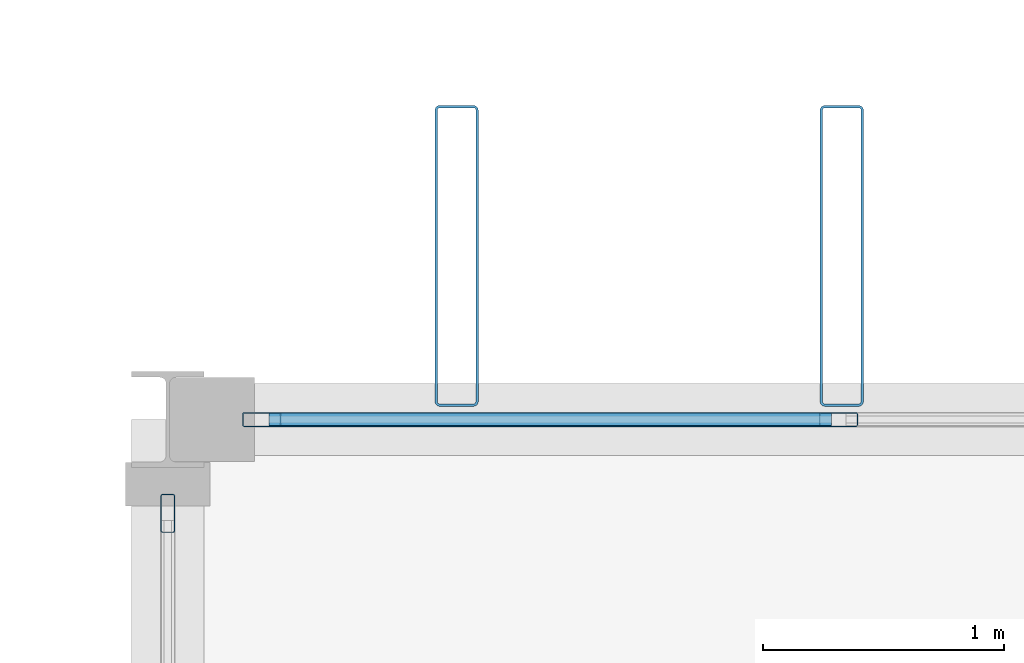
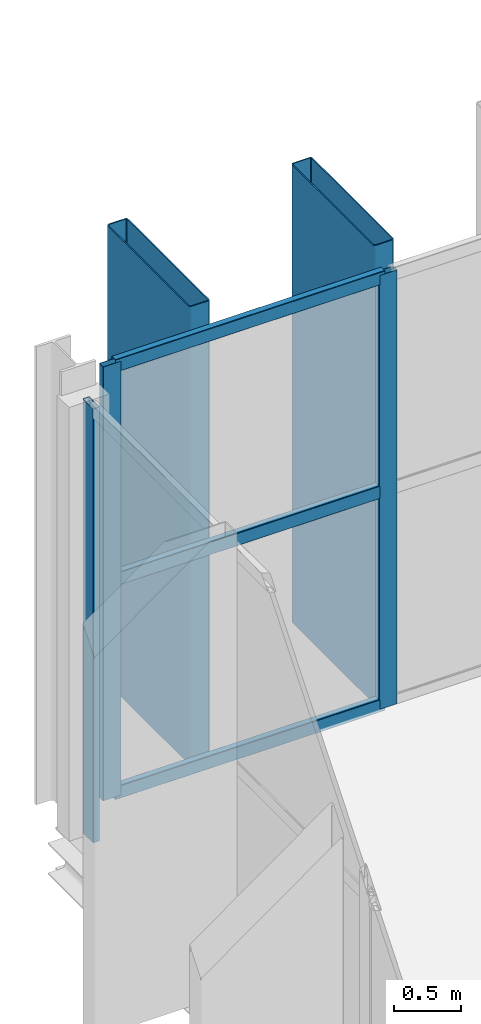
# One storey, part 24 of 101: 8 members, 2 elements without a shape of their own.
"""IFC4 building model written with IfcOpenShell, lengths in metres."""

import ifcopenshell
import ifcopenshell.guid

model = None  # the IFC model being written
_history = None  # IfcOwnerHistory: only IFC2X3 demands one
_inside = {}  # id of a spatial element -> (the spatial element, [elements in it])
_under = {}  # id of a project, library or spatial element -> (it, [spatial elements below it])
_declared = {}  # id of a project -> (the project, [libraries it declares])
_typed = {}  # id of a type object -> (the type object, [elements of that type])
_made_of = {}  # id of a material, layer set ... -> (it, [elements and type objects made of it])


def new_model(schema):
    """Start an empty IFC model of exactly this schema.

    Asked for "IFC4X3", IfcOpenShell would pick the latest addendum, in which some entities
    have other attributes; the version numbers below select the first issue.
    IFC2X3 requires an IfcOwnerHistory on every rooted entity: one is made here for all.
    """
    global model, _history
    if schema == "IFC4X3":
        model = ifcopenshell.file(schema_version=(4, 3, 0, 0))
    else:
        model = ifcopenshell.file(schema=schema)
    _inside.clear()
    _under.clear()
    _declared.clear()
    _typed.clear()
    _made_of.clear()
    _history = None
    if model.schema == "IFC2X3":
        org = make("IfcOrganization", Name="unknown")
        user = make(
            "IfcPersonAndOrganization",
            ThePerson=make("IfcPerson", FamilyName="unknown"),
            TheOrganization=org,
        )
        app = make(
            "IfcApplication",
            ApplicationDeveloper=org,
            Version="unknown",
            ApplicationFullName="unknown",
            ApplicationIdentifier="unknown",
        )
        _history = make(
            "IfcOwnerHistory",
            OwningUser=user,
            OwningApplication=app,
            ChangeAction="ADDED",
            CreationDate=0,
        )
    return model


def make(cls, **values):
    """One entity of the class cls with the attributes given. An attribute that is None is left unset."""
    return model.create_entity(
        cls, **{name: value for name, value in values.items() if value is not None}
    )


def rooted(cls, **values):
    """An entity with a GlobalId (a new one), such as an element, a storey or a relation."""
    return make(cls, GlobalId=ifcopenshell.guid.new(), OwnerHistory=_history, **values)


def si_unit(unit_type, name, prefix=None):
    """IfcSIUnit, for example si_unit("LENGTHUNIT", "METRE", prefix="MILLI")."""
    return make("IfcSIUnit", UnitType=unit_type, Prefix=prefix, Name=name)


def assignment(units):
    """IfcUnitAssignment: the units of a project."""
    return None if units is None else make("IfcUnitAssignment", Units=units)


def point(xyz):
    """IfcCartesianPoint."""
    return None if xyz is None else make("IfcCartesianPoint", Coordinates=xyz)


def direction(xyz):
    """IfcDirection."""
    return None if xyz is None else make("IfcDirection", DirectionRatios=xyz)


def frame(location, z_axis=None, x_axis=None):
    """IfcAxis2Placement3D, a coordinate frame: its origin and axes. An axis left out is left unset."""
    return make(
        "IfcAxis2Placement3D",
        Location=point(location),
        Axis=direction(z_axis),
        RefDirection=direction(x_axis),
    )


def frame_2d(location, x_axis=None):
    """IfcAxis2Placement2D, a coordinate frame in the plane: its origin and x axis."""
    return make(
        "IfcAxis2Placement2D", Location=point(location), RefDirection=direction(x_axis)
    )


def origin():
    """The frame at (0, 0, 0) with its axes left unset."""
    return frame((0.0, 0.0, 0.0))


def origin_2d():
    """The frame at (0, 0) in the plane with its x axis left unset."""
    return frame_2d((0.0, 0.0))


def place(relative_to, where):
    """IfcLocalPlacement: puts the frame where relative to a parent placement (None: the world)."""
    return make(
        "IfcLocalPlacement", PlacementRelTo=relative_to, RelativePlacement=where
    )


def context(
    kind, dimensions, precision=None, world=None, true_north=None, identifier=None
):
    """IfcGeometricRepresentationContext, for example the 3D "Model" context."""
    return make(
        "IfcGeometricRepresentationContext",
        ContextIdentifier=identifier,
        ContextType=kind,
        CoordinateSpaceDimension=dimensions,
        Precision=precision,
        WorldCoordinateSystem=world,
        TrueNorth=true_north,
    )


def subcontext(parent, identifier, kind, view, scale=None):
    """IfcGeometricRepresentationSubContext, for example "Body" below "Model"."""
    return make(
        "IfcGeometricRepresentationSubContext",
        ContextIdentifier=identifier,
        ContextType=kind,
        ParentContext=parent,
        TargetScale=scale,
        TargetView=view,
    )


def project(units=None, contexts=None):
    """IfcProject with its units and contexts."""
    return rooted(
        "IfcProject",
        Name="project",
        RepresentationContexts=contexts,
        UnitsInContext=assignment(units),
    )


def spatial(cls, under=None, at=None, **own):
    """A site, building, storey or space (cls), placed at a placement, below another one or the project."""
    s = rooted(cls, ObjectPlacement=at, **own)
    if under is not None:
        _under.setdefault(under.id(), (under, []))[1].append(s)
    return s


def profile(cls, at=None, kind="AREA", **sizes):
    """A parametric profile (cls). Its sizes go by their IFC names, for example OverallWidth=200.0."""
    return make(cls, ProfileType=kind, Position=at, **sizes)


def hollow_rectangle(**sizes):
    """IfcRectangleHollowProfileDef."""
    return profile("IfcRectangleHollowProfileDef", **sizes)


def extrude(swept, where, along, depth):
    """IfcExtrudedAreaSolid: the profile swept, set in the frame where, extruded along a direction by depth."""
    return make(
        "IfcExtrudedAreaSolid",
        SweptArea=swept,
        Position=where,
        ExtrudedDirection=direction(along),
        Depth=depth,
    )


def shape(context_of_items, identifier, shape_type, items):
    """IfcShapeRepresentation: the items that make up one representation, for example the "Body"."""
    return make(
        "IfcShapeRepresentation",
        ContextOfItems=context_of_items,
        RepresentationIdentifier=identifier,
        RepresentationType=shape_type,
        Items=items,
    )


def material(Name=None, Category=None):
    """IfcMaterial."""
    return make("IfcMaterial", Name=Name, Category=Category)


def layer(
    of_material, thickness, ventilated=None, Name=None, Category=None, Priority=None
):
    """IfcMaterialLayer: one layer of a wall or slab, of a material (None: an air gap)."""
    return make(
        "IfcMaterialLayer",
        Material=of_material,
        LayerThickness=thickness,
        IsVentilated=ventilated,
        Name=Name,
        Category=Category,
        Priority=Priority,
    )


def layer_set(layers, Name=None):
    """IfcMaterialLayerSet."""
    return make("IfcMaterialLayerSet", MaterialLayers=layers, LayerSetName=Name)


def material_profile(
    of_material, cross_section, Name=None, Category=None, Priority=None
):
    """IfcMaterialProfile: a cross section and its material."""
    return make(
        "IfcMaterialProfile",
        Name=Name,
        Material=of_material,
        Profile=cross_section,
        Priority=Priority,
        Category=Category,
    )


def profile_set(profiles, Name=None, composite=None):
    """IfcMaterialProfileSet."""
    return make(
        "IfcMaterialProfileSet",
        Name=Name,
        MaterialProfiles=profiles,
        CompositeProfile=composite,
    )


def made_of(thing, what):
    """Note that an element or type object is made of a material, layer set ...; save() writes the relation."""
    if what is not None:
        _made_of.setdefault(what.id(), (what, []))[1].append(thing)
    return thing


def type_object(cls, material=None, **own):
    """A type object (cls), such as IfcWallType, which elements share."""
    return made_of(rooted(cls, **own), material)


def element(
    cls,
    number,
    at=None,
    inside=None,
    cuts=None,
    type_object=None,
    material=None,
    context=None,
    identifier="Body",
    shape_type=None,
    held_by="IfcProductDefinitionShape",
    body=None,
    shapes=None,
    **own,
):
    """One element of the class cls, such as IfcWall. Its Tag is "e" and its number.

    at: its placement. inside: the storey or other place that contains it. cuts: it is an
    opening in that element (IfcRelVoidsElement). A single representation is given by context,
    identifier, shape_type and body (its items); several are given by shapes. held_by: the class
    of the entity that holds the representations. save() writes the other relations.
    """
    e = rooted(cls, Tag="e%d" % number, ObjectPlacement=at, **own)
    if body is not None:
        shapes = [shape(context, identifier, shape_type, body)]
    if shapes is not None:
        e.Representation = make(held_by, Representations=shapes)
    if inside is not None:
        _inside.setdefault(inside.id(), (inside, []))[1].append(e)
    if cuts is not None:
        rooted(
            "IfcRelVoidsElement", RelatingBuildingElement=cuts, RelatedOpeningElement=e
        )
    if type_object is not None:
        _typed.setdefault(type_object.id(), (type_object, []))[1].append(e)
    return made_of(e, material)


def aggregate(whole, parts):
    """IfcRelAggregates: a whole, such as a stair, and the parts it consists of."""
    return rooted("IfcRelAggregates", RelatingObject=whole, RelatedObjects=parts)


def save(model, path):
    """Write the relations noted so far, then the file.

    IfcRelAggregates (storeys below a building ...), IfcRelContainedInSpatialStructure (elements
    in a storey), IfcRelDefinesByType, IfcRelAssociatesMaterial and IfcRelDeclares: one each for
    every whole, place, type object, material and project.
    """
    for whole, parts in _under.values():
        aggregate(whole, parts)
    for where, things in _inside.values():
        rooted(
            "IfcRelContainedInSpatialStructure",
            RelatedElements=things,
            RelatingStructure=where,
        )
    for kind, things in _typed.values():
        rooted("IfcRelDefinesByType", RelatedObjects=things, RelatingType=kind)
    for what, things in _made_of.values():
        rooted("IfcRelAssociatesMaterial", RelatedObjects=things, RelatingMaterial=what)
    for by, libraries in _declared.values():
        rooted("IfcRelDeclares", RelatingContext=by, RelatedDefinitions=libraries)
    model.write(path)


model = new_model("IFC4")

# Units and contexts
model_context = context("Model", 3, precision=1e-05, world=origin(), true_north=direction((0.0, 1.0)))
body_context = subcontext(model_context, "Body", "Model", "MODEL_VIEW")
ifc_project = project(units=[si_unit("LENGTHUNIT", "METRE"), si_unit("AREAUNIT", "SQUARE_METRE"), si_unit("VOLUMEUNIT", "CUBIC_METRE"), si_unit("PLANEANGLEUNIT", "RADIAN"), si_unit("MASSUNIT", "GRAM", prefix="KILO")], contexts=[model_context])

# Site, building, storey
site_placement = place(None, origin())
site = spatial("IfcSite", under=ifc_project, at=site_placement, CompositionType="ELEMENT")
building_placement = place(site_placement, origin())
building = spatial("IfcBuilding", under=site, at=building_placement, Name="Vekula Escarpment Museum", CompositionType="ELEMENT")
storey_placement = place(building_placement, frame((0.0, 0.0, 18.0)))
storey = spatial("IfcBuildingStorey", under=building, at=storey_placement, Name="L04", CompositionType="ELEMENT", Elevation=18.0)

# Curtain wall, members
ifc_material_1 = material(Name="Aluminium thermally broken framing", Category="aluminium")
ifc_layer_1 = layer(ifc_material_1, 0.169921875)
ifc_layer_set_1 = layer_set([ifc_layer_1], Name="Aluminium thermally broken framing")
curtain_wall_type_1 = type_object("IfcCurtainWallType", Name="CW-SYS-10", PredefinedType="NOTDEFINED", material=ifc_layer_set_1)
curtain_wall_1_placement = place(storey_placement, origin())
curtain_wall_1 = element("IfcCurtainWall", 1, at=curtain_wall_1_placement, inside=storey, type_object=curtain_wall_type_1, Name="Curtain Wall CW-L04-160", PredefinedType="NOTDEFINED")
ifc_material_2 = material(Name="Aluminium anodized mullion", Category="aluminium")
ifc_material_profile_1 = material_profile(ifc_material_2, hollow_rectangle(XDim=0.06005859375, YDim=0.159912109375, WallThickness=0.00390625, InnerFilletRadius=0.00390625, OuterFilletRadius=0.008056640625, at=origin_2d()), Name="ALU 160x60x4")
ifc_profile_set_1 = profile_set([ifc_material_profile_1], Name="Aluminium anodized mullion")
member_type_1 = type_object("IfcMemberType", Name="CW-MUL-160", PredefinedType="MULLION", material=ifc_profile_set_1)
member_1_placement = place(storey_placement, frame((72.78662109375, 90.39990234375, 0.0), z_axis=(0.0, 0.0, 1.0), x_axis=(0.0, -1.0, 0.0)))
member_1 = element("IfcMember", 2, at=member_1_placement, type_object=member_type_1, Name="CW-10 mullion 3", PredefinedType="MULLION", context=body_context, shape_type="SweptSolid", body=[
    extrude(hollow_rectangle(XDim=0.06005859375, YDim=0.159912109375, WallThickness=0.00390625, InnerFilletRadius=0.00390625, OuterFilletRadius=0.008056640625, at=origin_2d()), origin(), (0.0, 0.0, 1.0), 3.97998046875),
])
member_2_placement = place(storey_placement, frame((70.389892578125, 90.39990234375, 0.0), z_axis=(0.0, 0.0, 1.0), x_axis=(0.0, -1.0, 0.0)))
member_2 = element("IfcMember", 3, at=member_2_placement, type_object=member_type_1, Name="CW-10 mullion 4", PredefinedType="MULLION", context=body_context, shape_type="SweptSolid", body=[
    extrude(hollow_rectangle(XDim=0.06005859375, YDim=0.159912109375, WallThickness=0.00390625, InnerFilletRadius=0.00390625, OuterFilletRadius=0.008056640625, at=origin_2d()), origin(), (0.0, 0.0, 1.0), 3.97998046875),
])

# Curtain wall, member
ifc_material_3 = material(Name="Aluminium thermally broken framing", Category="aluminium")
ifc_layer_2 = layer(ifc_material_3, 0.159912109375)
ifc_layer_set_2 = layer_set([ifc_layer_2], Name="Aluminium thermally broken framing")
curtain_wall_type_2 = type_object("IfcCurtainWallType", Name="CW-SYS-01", PredefinedType="NOTDEFINED", material=ifc_layer_set_2)
curtain_wall_2_placement = place(storey_placement, origin())
curtain_wall_2 = element("IfcCurtainWall", 4, at=curtain_wall_2_placement, inside=storey, type_object=curtain_wall_type_2, Name="Curtain Wall CW-L04-161", PredefinedType="NOTDEFINED")
member_3_placement = place(storey_placement, frame((70.0, 90.010009765625, 0.0), z_axis=(0.0, 0.0, 1.0), x_axis=(1.0, 0.0, 0.0)))
member_3 = element("IfcMember", 5, at=member_3_placement, type_object=member_type_1, Name="CW-01 mullion 1", PredefinedType="MULLION", context=body_context, shape_type="SweptSolid", body=[
    extrude(hollow_rectangle(XDim=0.06005859375, YDim=0.159912109375, WallThickness=0.00390625, InnerFilletRadius=0.00390625, OuterFilletRadius=0.008056640625, at=origin_2d()), origin(), (0.0, 0.0, 1.0), 3.97998046875),
])
aggregate(curtain_wall_2, [member_3])

# Member
ifc_material_4 = material(Name="Aluminium anodized transom", Category="aluminium")
ifc_material_profile_2 = material_profile(ifc_material_4, hollow_rectangle(XDim=0.06005859375, YDim=0.1201171875, WallThickness=0.00390625, InnerFilletRadius=0.00390625, OuterFilletRadius=0.008056640625, at=origin_2d()), Name="ALU 120x60x4")
ifc_profile_set_2 = profile_set([ifc_material_profile_2], Name="Aluminium anodized transom")
member_type_2 = type_object("IfcMemberType", Name="CW-TRN-120", PredefinedType="USERDEFINED", material=ifc_profile_set_2)
member_4_placement = place(storey_placement, frame((72.756591796875, 90.39990234375, 0.030029296875), z_axis=(-1.0, 0.0, 0.0), x_axis=(0.0, -1.0, 0.0)))
member_4 = element("IfcMember", 6, at=member_4_placement, type_object=member_type_2, Name="CW-10 transom 3.1", ObjectType="TRANSOM", PredefinedType="USERDEFINED", context=body_context, shape_type="SweptSolid", body=[
    extrude(hollow_rectangle(XDim=0.06005859375, YDim=0.1201171875, WallThickness=0.00390625, InnerFilletRadius=0.00390625, OuterFilletRadius=0.008056640625, at=origin_2d()), origin(), (0.0, 0.0, 1.0), 2.336669921875),
])

member_5_placement = place(storey_placement, frame((72.756591796875, 90.39990234375, 1.989990234375), z_axis=(-1.0, 0.0, 0.0), x_axis=(0.0, -1.0, 0.0)))
member_5 = element("IfcMember", 7, at=member_5_placement, type_object=member_type_2, Name="CW-10 transom 3.2", ObjectType="TRANSOM", PredefinedType="USERDEFINED", context=body_context, shape_type="SweptSolid", body=[
    extrude(hollow_rectangle(XDim=0.06005859375, YDim=0.1201171875, WallThickness=0.00390625, InnerFilletRadius=0.00390625, OuterFilletRadius=0.008056640625, at=origin_2d()), origin(), (0.0, 0.0, 1.0), 2.336669921875),
])

member_6_placement = place(storey_placement, frame((72.756591796875, 90.39990234375, 3.949951171875), z_axis=(-1.0, 0.0, 0.0), x_axis=(0.0, -1.0, 0.0)))
member_6 = element("IfcMember", 8, at=member_6_placement, type_object=member_type_2, Name="CW-10 transom 3.3", ObjectType="TRANSOM", PredefinedType="USERDEFINED", context=body_context, shape_type="SweptSolid", body=[
    extrude(hollow_rectangle(XDim=0.06005859375, YDim=0.1201171875, WallThickness=0.00390625, InnerFilletRadius=0.00390625, OuterFilletRadius=0.008056640625, at=origin_2d()), origin(), (0.0, 0.0, 1.0), 2.336669921875),
])

aggregate(curtain_wall_1, [member_1, member_2, member_4, member_5, member_6])

# Members
ifc_material_5 = material(Name="Steel S355 weathered bronze solar fin", Category="steel")
ifc_material_profile_3 = material_profile(ifc_material_5, hollow_rectangle(XDim=0.179931640625, YDim=1.25, WallThickness=0.010009765625, InnerFilletRadius=0.010009765625, OuterFilletRadius=0.02001953125, at=origin_2d()), Name="RHS 1250x180x10")
ifc_profile_set_3 = profile_set([ifc_material_profile_3], Name="Steel S355 weathered bronze solar fin")
member_type_3 = type_object("IfcMemberType", Name="MB-SOLAR-FIN", PredefinedType="USERDEFINED", material=ifc_profile_set_3)
for number, where, z_axis, x_axis, name in (
    (9, (71.199951171875, 91.080078125, 0.0), (0.0, 0.0, 1.0), (1.0, 0.0, 0.0), "Great Hall Vertical Solar Fin 0134"),
    (10, (72.800048828125, 91.080078125, 0.0), (0.0, 0.0, 1.0), (1.0, 0.0, 0.0), "Great Hall Vertical Solar Fin 0139"),
):
    element("IfcMember", number, at=place(storey_placement, frame(where, z_axis=z_axis, x_axis=x_axis)), inside=storey, type_object=member_type_3, Name=name, ObjectType="SOLAR FIN", PredefinedType="USERDEFINED", context=body_context, shape_type="SweptSolid", body=[
        extrude(hollow_rectangle(XDim=0.179931640625, YDim=1.25, WallThickness=0.010009765625, InnerFilletRadius=0.010009765625, OuterFilletRadius=0.02001953125, at=origin_2d()), origin(), (0.0, 0.0, 1.0), 4.199951171875),
    ])

save(model, "model.ifc")
